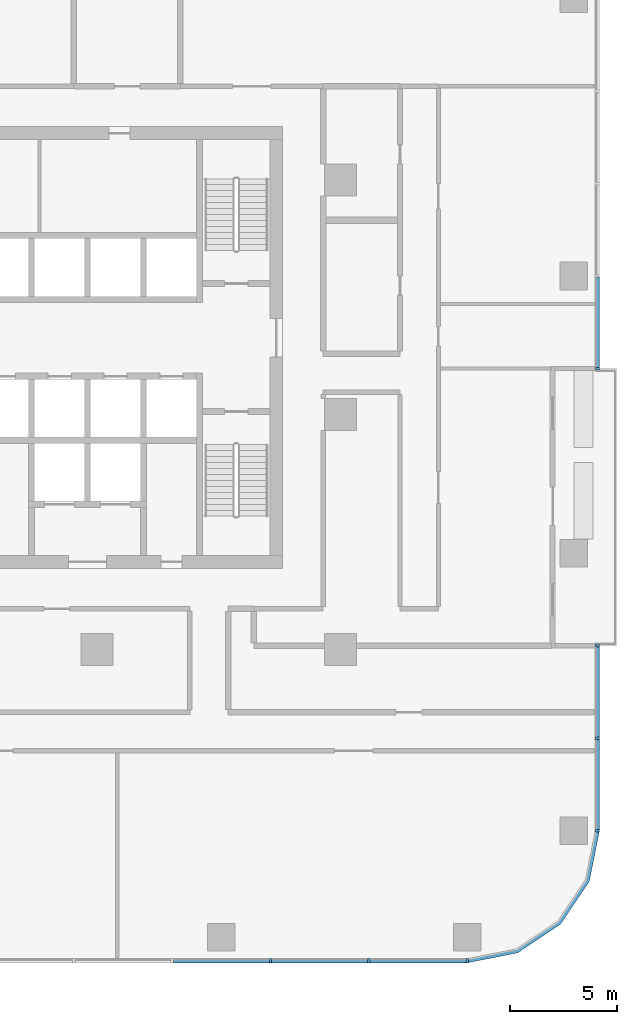
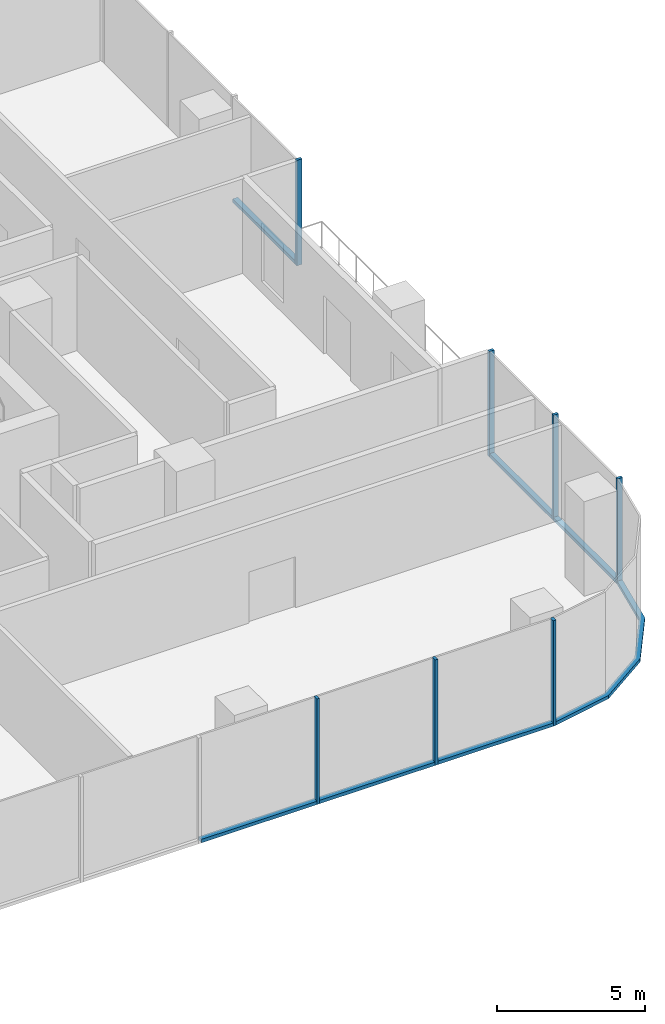
# One storey, part 3 of 14: 14 members, 4 elements without a shape of their own.
"""IFC4 building model written with IfcOpenShell, lengths in metres."""

from ifc_helpers import new_model, si_unit, direction, frame, origin, origin_2d, place, context, subcontext, project, spatial, polyline, rectangle, outline, extrude, material, material_profile, profile_set, type_object, element, aggregate, save


model = new_model("IFC4")

# Units and contexts
model_context = context("Model", 3, precision=1e-05, world=origin(), true_north=direction((0.0, 1.0)))
body_context = subcontext(model_context, "Body", "Model", "MODEL_VIEW")
ifc_project = project(units=[si_unit("LENGTHUNIT", "METRE"), si_unit("AREAUNIT", "SQUARE_METRE"), si_unit("VOLUMEUNIT", "CUBIC_METRE"), si_unit("PLANEANGLEUNIT", "RADIAN"), si_unit("MASSUNIT", "GRAM", prefix="KILO")], contexts=[model_context])

# Site, building, storey
site_placement = place(None, origin())
site = spatial("IfcSite", under=ifc_project, at=site_placement, CompositionType="ELEMENT")
building_placement = place(site_placement, origin())
building = spatial("IfcBuilding", under=site, at=building_placement, Name="Mopane Tessera Tower", CompositionType="ELEMENT")
storey_placement = place(building_placement, frame((0.0, 0.0, 144.10009765625)))
storey = spatial("IfcBuildingStorey", under=building, at=storey_placement, Name="L29", CompositionType="ELEMENT", Elevation=144.10009765625)

# Curtain wall, members
ifc_material_1 = material(Name="Aluminium frame", Category="aluminium")
curtain_wall_type = type_object("IfcCurtainWallType", Name="Lower tower unitised wall", PredefinedType="NOTDEFINED", material=ifc_material_1)
curtain_wall_1_placement = place(storey_placement, origin())
curtain_wall_1 = element("IfcCurtainWall", 1, at=curtain_wall_1_placement, inside=storey, type_object=curtain_wall_type, Name="e:cw:L29:S:4", PredefinedType="NOTDEFINED")
ifc_material_2 = material(Name="Aluminium frame", Category="aluminium")
ifc_material_profile_1 = material_profile(ifc_material_2, rectangle(XDim=0.110107421875, YDim=0.199951171875, at=origin_2d()))
ifc_profile_set_1 = profile_set([ifc_material_profile_1], Name="Aluminium frame")
member_type_1 = type_object("IfcMemberType", Name="Aluminium mullion 110 x 200", PredefinedType="MULLION", material=ifc_profile_set_1)
member_1_placement = place(storey_placement, frame((13.830078125, -25.60009765625, -0.4501953125), z_axis=(0.0, 0.0, 1.0), x_axis=(1.0, 0.0, 0.0)))
member_1 = element("IfcMember", 2, at=member_1_placement, type_object=member_type_1, Name="e:cw:L29:S:4:mu8", PredefinedType="MULLION", context=body_context, shape_type="SweptSolid", body=[
    extrude(rectangle(XDim=0.110107421875, YDim=0.199951171875, at=origin_2d()), origin(), (0.0, 0.0, 1.0), 4.35009765625),
])
member_2_placement = place(storey_placement, frame((18.43994140625, -25.60009765625, -0.4501953125), z_axis=(0.0, 0.0, 1.0), x_axis=(1.0, 0.0, 0.0)))
member_2 = element("IfcMember", 3, at=member_2_placement, type_object=member_type_1, Name="e:cw:L29:S:4:mu9", PredefinedType="MULLION", context=body_context, shape_type="SweptSolid", body=[
    extrude(rectangle(XDim=0.110107421875, YDim=0.199951171875, at=origin_2d()), origin(), (0.0, 0.0, 1.0), 4.35009765625),
])
member_3_placement = place(storey_placement, frame((23.050048828125, -25.60009765625, -0.4501953125), z_axis=(0.0, 0.0, 1.0), x_axis=(1.0, 0.0, 0.0)))
member_3 = element("IfcMember", 4, at=member_3_placement, type_object=member_type_1, Name="e:cw:L29:S:4:mu10", PredefinedType="MULLION", context=body_context, shape_type="SweptSolid", body=[
    extrude(rectangle(XDim=0.110107421875, YDim=0.199951171875, at=origin_2d()), origin(), (0.0, 0.0, 1.0), 4.35009765625),
])

curtain_wall_2_placement = place(storey_placement, origin())
curtain_wall_2 = element("IfcCurtainWall", 5, at=curtain_wall_2_placement, inside=storey, type_object=curtain_wall_type, Name="e:cw:L29:E:0", PredefinedType="NOTDEFINED")
member_4_placement = place(storey_placement, frame((29.14990234375, -19.5, -0.4501953125), z_axis=(0.0, 0.0, 1.0), x_axis=(0.0, 1.0, 0.0)))
member_4 = element("IfcMember", 6, at=member_4_placement, type_object=member_type_1, Name="e:cw:L29:E:0:mu0", PredefinedType="MULLION", context=body_context, shape_type="SweptSolid", body=[
    extrude(rectangle(XDim=0.110107421875, YDim=0.199951171875, at=origin_2d()), origin(), (0.0, 0.0, 1.0), 4.35009765625),
])
member_5_placement = place(storey_placement, frame((29.14990234375, -15.166748046875, -0.4501953125), z_axis=(0.0, 0.0, 1.0), x_axis=(0.0, 1.0, 0.0)))
member_5 = element("IfcMember", 7, at=member_5_placement, type_object=member_type_1, Name="e:cw:L29:E:0:mu1", PredefinedType="MULLION", context=body_context, shape_type="SweptSolid", body=[
    extrude(rectangle(XDim=0.110107421875, YDim=0.199951171875, at=origin_2d()), origin(), (0.0, 0.0, 1.0), 4.35009765625),
])
member_6_placement = place(storey_placement, frame((29.14990234375, -10.833251953125, -0.4501953125), z_axis=(0.0, 0.0, 1.0), x_axis=(0.0, 1.0, 0.0)))
member_6 = element("IfcMember", 8, at=member_6_placement, type_object=member_type_1, Name="e:cw:L29:E:0:mu2", PredefinedType="MULLION", context=body_context, shape_type="SweptSolid", body=[
    extrude(rectangle(XDim=0.110107421875, YDim=0.199951171875, at=origin_2d()), origin(), (0.0, 0.0, 1.0), 4.35009765625),
])

# Curtain wall, member
curtain_wall_3_placement = place(storey_placement, origin())
curtain_wall_3 = element("IfcCurtainWall", 9, at=curtain_wall_3_placement, inside=storey, type_object=curtain_wall_type, Name="e:cw:L29:E:5", PredefinedType="NOTDEFINED")
member_7_placement = place(storey_placement, frame((29.14990234375, 2.166748046875, -0.4501953125), z_axis=(0.0, 0.0, 1.0), x_axis=(0.0, 1.0, 0.0)))
member_7 = element("IfcMember", 10, at=member_7_placement, type_object=member_type_1, Name="e:cw:L29:E:5:mu5", PredefinedType="MULLION", context=body_context, shape_type="SweptSolid", body=[
    extrude(rectangle(XDim=0.110107421875, YDim=0.199951171875, at=origin_2d()), origin(), (0.0, 0.0, 1.0), 4.35009765625),
])

# Member
ifc_material_3 = material(Name="Aluminium frame", Category="aluminium")
ifc_material_profile_2 = material_profile(ifc_material_3, rectangle(XDim=0.199951171875, YDim=0.139892578125, at=origin_2d()))
ifc_profile_set_2 = profile_set([ifc_material_profile_2], Name="Aluminium frame")
member_type_2 = type_object("IfcMemberType", Name="Aluminium transom 200 x 140", PredefinedType="USERDEFINED", material=ifc_profile_set_2)
member_8_placement = place(storey_placement, frame((9.27490234375, -25.60009765625, -0.380126953125), z_axis=(1.0, 0.0, 0.0), x_axis=(0.0, 1.0, 0.0)))
member_8 = element("IfcMember", 11, at=member_8_placement, type_object=member_type_2, Name="e:cw:L29:S:4:tr7", ObjectType="TRANSOM", PredefinedType="USERDEFINED", context=body_context, shape_type="SweptSolid", body=[
    extrude(rectangle(XDim=0.199951171875, YDim=0.139892578125, at=origin_2d()), origin(), (0.0, 0.0, 1.0), 4.5),
])

member_9_placement = place(storey_placement, frame((13.885009765625, -25.60009765625, -0.380126953125), z_axis=(1.0, 0.0, 0.0), x_axis=(0.0, 1.0, 0.0)))
member_9 = element("IfcMember", 12, at=member_9_placement, type_object=member_type_2, Name="e:cw:L29:S:4:tr8", ObjectType="TRANSOM", PredefinedType="USERDEFINED", context=body_context, shape_type="SweptSolid", body=[
    extrude(rectangle(XDim=0.199951171875, YDim=0.139892578125, at=origin_2d()), origin(), (0.0, 0.0, 1.0), 4.5),
])

member_10_placement = place(storey_placement, frame((18.4951171875, -25.60009765625, -0.380126953125), z_axis=(1.0, 0.0, 0.0), x_axis=(0.0, 1.0, 0.0)))
member_10 = element("IfcMember", 13, at=member_10_placement, type_object=member_type_2, Name="e:cw:L29:S:4:tr9", ObjectType="TRANSOM", PredefinedType="USERDEFINED", context=body_context, shape_type="SweptSolid", body=[
    extrude(rectangle(XDim=0.199951171875, YDim=0.139892578125, at=origin_2d()), origin(), (0.0, 0.0, 1.0), 4.5),
])

aggregate(curtain_wall_1, [member_1, member_2, member_3, member_8, member_9, member_10])

# Curtain wall, member
curtain_wall_4_placement = place(storey_placement, origin())
curtain_wall_4 = element("IfcCurtainWall", 14, at=curtain_wall_4_placement, inside=storey, type_object=curtain_wall_type, Name="e:cw:L29:CS", PredefinedType="NOTDEFINED")
member_11_placement = place(storey_placement, frame((0.0, 0.0, -0.4501953125)))
member_11 = element("IfcMember", 15, at=member_11_placement, type_object=member_type_2, Name="e:cw:L29:CS:tr", ObjectType="TRANSOM", PredefinedType="USERDEFINED", context=body_context, shape_type="SweptSolid", body=[
    extrude(outline(polyline([(23.050048828125, -25.5), (25.34619140625, -25.043212890625), (27.292724609375, -23.74267578125), (28.59326171875, -21.796142578125), (29.050048828125, -19.5), (29.25, -19.5), (28.778076171875, -21.87255859375), (27.43408203125, -23.884033203125), (25.422607421875, -25.22802734375), (23.050048828125, -25.699951171875), (23.050048828125, -25.5)])), origin(), (0.0, 0.0, 1.0), 0.14013671875),
])
aggregate(curtain_wall_4, [member_11])

# Member
member_12_placement = place(storey_placement, frame((29.14990234375, -19.445068359375, -0.380126953125), z_axis=(0.0, 1.0, 0.0), x_axis=(-1.0, 0.0, 0.0)))
member_12 = element("IfcMember", 16, at=member_12_placement, type_object=member_type_2, Name="e:cw:L29:E:0:tr0", ObjectType="TRANSOM", PredefinedType="USERDEFINED", context=body_context, shape_type="SweptSolid", body=[
    extrude(rectangle(XDim=0.199951171875, YDim=0.139892578125, at=origin_2d()), origin(), (0.0, 0.0, 1.0), 4.223388671875),
])

member_13_placement = place(storey_placement, frame((29.14990234375, -15.111572265625, -0.380126953125), z_axis=(0.0, 1.0, 0.0), x_axis=(-1.0, 0.0, 0.0)))
member_13 = element("IfcMember", 17, at=member_13_placement, type_object=member_type_2, Name="e:cw:L29:E:0:tr1", ObjectType="TRANSOM", PredefinedType="USERDEFINED", context=body_context, shape_type="SweptSolid", body=[
    extrude(rectangle(XDim=0.199951171875, YDim=0.139892578125, at=origin_2d()), origin(), (0.0, 0.0, 1.0), 4.22314453125),
])

aggregate(curtain_wall_2, [member_4, member_5, member_6, member_12, member_13])

member_14_placement = place(storey_placement, frame((29.14990234375, 2.2216796875, -0.380126953125), z_axis=(0.0, 1.0, 0.0), x_axis=(-1.0, 0.0, 0.0)))
member_14 = element("IfcMember", 18, at=member_14_placement, type_object=member_type_2, Name="e:cw:L29:E:5:tr5", ObjectType="TRANSOM", PredefinedType="USERDEFINED", context=body_context, shape_type="SweptSolid", body=[
    extrude(rectangle(XDim=0.199951171875, YDim=0.139892578125, at=origin_2d()), origin(), (0.0, 0.0, 1.0), 4.223388671875),
])

aggregate(curtain_wall_3, [member_7, member_14])

save(model, "model.ifc")
